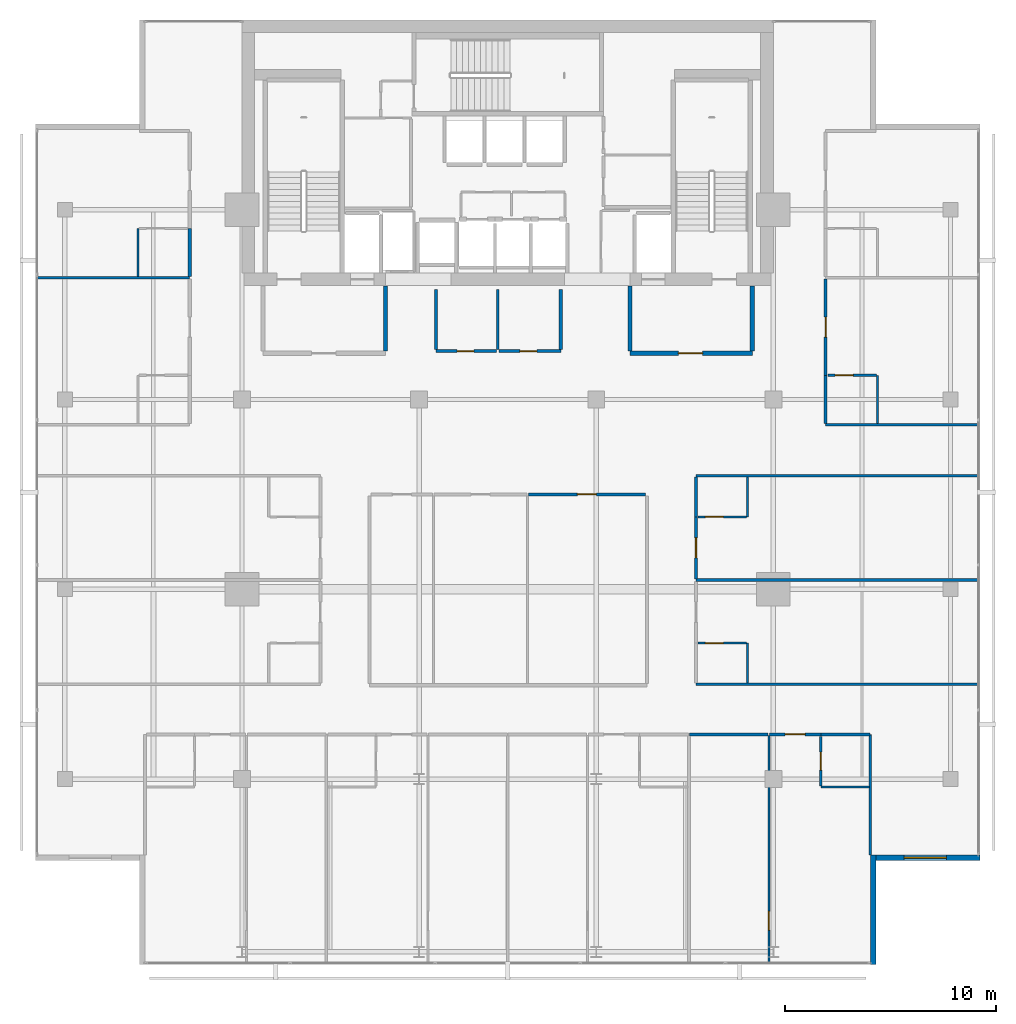
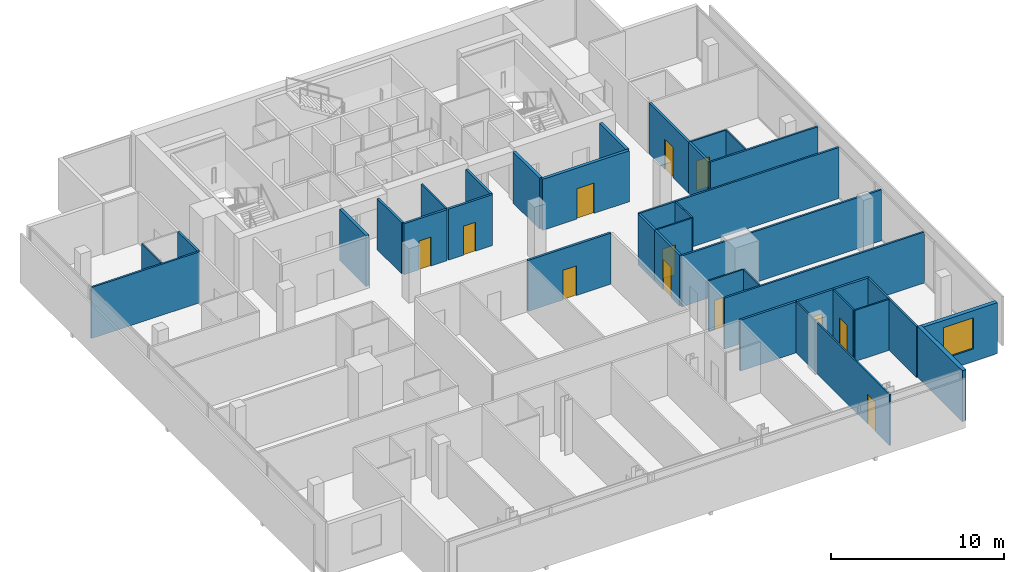
# One storey, part 21 of 26: 36 walls, 12 doors, 1 window, 13 openings.
"""IFC4 building model written with IfcOpenShell, lengths in metres."""

from ifc_helpers import new_model, si_unit, direction, frame, frame_2d, origin, place, context, subcontext, project, spatial, rectangle, extrude, material, layer, layer_set, type_object, element, fill, save


model = new_model("IFC4")

# Units and contexts
model_context = context("Model", 3, precision=1e-05, world=origin(), true_north=direction((0.0, 1.0)))
body_context = subcontext(model_context, "Body", "Model", "MODEL_VIEW")
ifc_project = project(units=[si_unit("LENGTHUNIT", "METRE"), si_unit("AREAUNIT", "SQUARE_METRE"), si_unit("VOLUMEUNIT", "CUBIC_METRE"), si_unit("PLANEANGLEUNIT", "RADIAN"), si_unit("MASSUNIT", "GRAM", prefix="KILO")], contexts=[model_context])

# Site, building, storey
site_placement = place(None, origin())
site = spatial("IfcSite", under=ifc_project, at=site_placement, CompositionType="ELEMENT")
building_placement = place(site_placement, origin())
building = spatial("IfcBuilding", under=site, at=building_placement, Name="Maruvema Waterfront Hotel and Observation Tower", CompositionType="ELEMENT")
storey_placement = place(building_placement, frame((0.0, 0.0, 254.800048828125)))
storey = spatial("IfcBuildingStorey", under=building, at=storey_placement, Name="L62", CompositionType="ELEMENT", Elevation=254.800048828125)

# Wall, opening, door
ifc_material_1 = material(Name="Twin-stud acoustic gypsum drywall", Category="gypsum")
ifc_layer_1 = layer(ifc_material_1, 0.14990234375, Name="Acoustic Corridor and Suite Demising Wall 150 mm")
ifc_layer_set_1 = layer_set([ifc_layer_1], Name="Twin-stud acoustic gypsum drywall")
wall_type_1 = type_object("IfcWallType", Name="Acoustic Corridor and Suite Demising Wall 150 mm", PredefinedType="PARTITIONING", material=ifc_layer_set_1)
wall_1_placement = place(storey_placement, frame((34.39990234375, 38.300048828125, 0.0), z_axis=(0.0, 0.0, 1.0), x_axis=(1.0, 0.0, 0.0)))
wall_1 = element("IfcWall", 1, at=wall_1_placement, inside=storey, type_object=wall_type_1, Name="L62 Core Apron K2A South 026", PredefinedType="PARTITIONING", context=body_context, shape_type="SweptSolid", body=[
    extrude(rectangle(XDim=2.880126953125, YDim=0.14990234375, at=frame_2d((1.43994140625, 0.0))), origin(), (0.0, 0.0, 1.0), 3.60986328125),
])
opening_1_placement = place(wall_1_placement, frame((1.0, 0.0, 0.0)))
opening_1 = element("IfcOpeningElement", 2, at=opening_1_placement, cuts=wall_1, Name="Opening DR-080", PredefinedType="OPENING", context=body_context, shape_type="SweptSolid", body=[
    extrude(rectangle(XDim=0.800048828125, YDim=2.050048828125, at=frame_2d((0.39990234375, 1.02490234375))), frame((0.0, 0.0849609375, 0.0), z_axis=(0.0, -1.0, 0.0), x_axis=(1.0, 0.0, 0.0)), (0.0, 0.0, 1.0), 0.169921875),
])
ifc_material_2 = material(Name="Powder-coated steel access leaf", Category="steel")
door_type_1 = type_object("IfcDoorType", Name="Riser and Service Cupboard Door 800x2050 mm", OperationType="NOTDEFINED", PredefinedType="DOOR", material=ifc_material_2)
door_1_placement = place(opening_1_placement, frame((0.800048828125, 0.0, 0.0), z_axis=(0.0, 0.0, 1.0), x_axis=(-1.0, 0.0, 0.0)))
door_1 = element("IfcDoor", 3, at=door_1_placement, inside=storey, type_object=door_type_1, Name="L62 Core Ice Alcove Door", OperationType="SINGLE_SWING_RIGHT", OverallHeight=2.050048828125, OverallWidth=0.800048828125, PredefinedType="DOOR", context=body_context, shape_type="SweptSolid", body=[
    extrude(rectangle(XDim=0.800048828125, YDim=2.050048828125, at=frame_2d((0.39990234375, 1.02490234375))), frame((0.0, 0.02490234375, 0.0), z_axis=(0.0, -1.0, 0.0), x_axis=(1.0, 0.0, 0.0)), (0.0, 0.0, 1.0), 0.050048828125),
])
fill(opening_1, door_1)

wall_2_placement = place(storey_placement, frame((37.3798828125, 38.300048828125, 0.0), z_axis=(0.0, 0.0, 1.0), x_axis=(1.0, 0.0, 0.0)))
wall_2 = element("IfcWall", 4, at=wall_2_placement, inside=storey, type_object=wall_type_1, Name="L62 Core Apron K2B South 027", PredefinedType="PARTITIONING", context=body_context, shape_type="SweptSolid", body=[
    extrude(rectangle(XDim=2.940185546875, YDim=0.14990234375, at=frame_2d((1.47021484375, 0.0))), origin(), (0.0, 0.0, 1.0), 3.60986328125),
])
opening_2_placement = place(wall_2_placement, frame((1.0, 0.0, 0.0)))
opening_2 = element("IfcOpeningElement", 5, at=opening_2_placement, cuts=wall_2, Name="Opening DR-080", PredefinedType="OPENING", context=body_context, shape_type="SweptSolid", body=[
    extrude(rectangle(XDim=0.800048828125, YDim=2.050048828125, at=frame_2d((0.39990234375, 1.02490234375))), frame((0.0, 0.0849609375, 0.0), z_axis=(0.0, -1.0, 0.0), x_axis=(1.0, 0.0, 0.0)), (0.0, 0.0, 1.0), 0.169921875),
])
door_2_placement = place(opening_2_placement, frame((0.800048828125, 0.0, 0.0), z_axis=(0.0, 0.0, 1.0), x_axis=(-1.0, 0.0, 0.0)))
door_2 = element("IfcDoor", 6, at=door_2_placement, inside=storey, type_object=door_type_1, Name="L62 Core Valet Closet Door", OperationType="SINGLE_SWING_LEFT", OverallHeight=2.050048828125, OverallWidth=0.800048828125, PredefinedType="DOOR", context=body_context, shape_type="SweptSolid", body=[
    extrude(rectangle(XDim=0.800048828125, YDim=2.050048828125, at=frame_2d((0.39990234375, 1.02490234375))), frame((0.0, 0.02490234375, 0.0), z_axis=(0.0, -1.0, 0.0), x_axis=(1.0, 0.0, 0.0)), (0.0, 0.0, 1.0), 0.050048828125),
])
fill(opening_2, door_2)

# Walls
for number, where, z_axis, x_axis, name in (
    (7, (34.39990234375, 38.3798828125, 0.0), (0.0, 0.0, 1.0), (0.0, 1.0, 0.0), "L62 Core Apron K2 West 028"),
    (8, (40.320068359375, 38.3798828125, 0.0), (0.0, 0.0, 1.0), (0.0, 1.0, 0.0), "L62 Core Apron K2 East 030"),
):
    element("IfcWall", number, at=place(storey_placement, frame(where, z_axis=z_axis, x_axis=x_axis)), inside=storey, type_object=wall_type_1, Name=name, PredefinedType="PARTITIONING", context=body_context, shape_type="SweptSolid", body=[
        extrude(rectangle(XDim=2.840087890625, YDim=0.14990234375, at=frame_2d((1.419921875, 0.0))), origin(), (0.0, 0.0, 1.0), 3.60986328125),
    ])

# Wall, opening, door
wall_3_placement = place(storey_placement, frame((38.775390625, 31.5, 0.0), z_axis=(0.0, 0.0, 1.0), x_axis=(1.0, 0.0, 0.0)))
wall_3 = element("IfcWall", 9, at=wall_3_placement, inside=storey, type_object=wall_type_1, Name="L62 L62-Z3M Front 3 038", PredefinedType="PARTITIONING", context=body_context, shape_type="SweptSolid", body=[
    extrude(rectangle(XDim=5.564697265625, YDim=0.14990234375, at=frame_2d((2.7822265625, 0.0))), origin(), (0.0, 0.0, 1.0), 3.60986328125),
])
opening_3_placement = place(wall_3_placement, frame((2.332275390625, 0.0, 0.0)))
opening_3 = element("IfcOpeningElement", 10, at=opening_3_placement, cuts=wall_3, Name="Opening DR-090", PredefinedType="OPENING", context=body_context, shape_type="SweptSolid", body=[
    extrude(rectangle(XDim=0.89990234375, YDim=2.10009765625, at=frame_2d((0.449951171875, 1.050048828125))), frame((0.0, 0.0849609375, 0.0), z_axis=(0.0, -1.0, 0.0), x_axis=(1.0, 0.0, 0.0)), (0.0, 0.0, 1.0), 0.169921875),
])
ifc_material_3 = material(Name="Solid-core lacquered timber leaf", Category="wood")
door_type_2 = type_object("IfcDoorType", Name="Accessible Toilet and Room Door 900x2100 mm", OperationType="NOTDEFINED", PredefinedType="DOOR", material=ifc_material_3)
door_3_placement = place(opening_3_placement, origin())
door_3 = element("IfcDoor", 11, at=door_3_placement, inside=storey, type_object=door_type_2, Name="L62 Sky Study Office 3 Door", OperationType="SINGLE_SWING_RIGHT", OverallHeight=2.10009765625, OverallWidth=0.89990234375, PredefinedType="DOOR", context=body_context, shape_type="SweptSolid", body=[
    extrude(rectangle(XDim=0.89990234375, YDim=2.10009765625, at=frame_2d((0.449951171875, 1.050048828125))), frame((0.0, 0.02490234375, 0.0), z_axis=(0.0, -1.0, 0.0), x_axis=(1.0, 0.0, 0.0)), (0.0, 0.0, 1.0), 0.050048828125),
])
fill(opening_3, door_3)

# Walls
wall_4_placement = place(storey_placement, frame((52.64990234375, 20.1201171875, 0.0), z_axis=(0.0, 0.0, 1.0), x_axis=(1.0, 0.0, 0.0)))
element("IfcWall", 12, at=wall_4_placement, inside=storey, type_object=wall_type_1, Name="L62 Bath L62-S4 Back Wall 062", PredefinedType="PARTITIONING", context=body_context, shape_type="SweptSolid", body=[
    extrude(rectangle(XDim=2.330078125, YDim=0.14990234375, at=frame_2d((1.1650390625, 0.0))), origin(), (0.0, 0.0, 1.0), 3.60986328125),
])
wall_5_placement = place(storey_placement, frame((46.419921875, 20.1201171875, 0.0), z_axis=(0.0, 0.0, 1.0), x_axis=(1.0, 0.0, 0.0)))
element("IfcWall", 13, at=wall_5_placement, inside=storey, type_object=wall_type_1, Name="L62 Bedroom L62-S4 Back Wall 065", PredefinedType="PARTITIONING", context=body_context, shape_type="SweptSolid", body=[
    extrude(rectangle(XDim=3.72412109375, YDim=0.14990234375, at=frame_2d((1.862060546875, 0.0))), origin(), (0.0, 0.0, 1.0), 3.60986328125),
])

# Wall, opening, door
wall_6_placement = place(storey_placement, frame((50.22412109375, 20.1201171875, 0.0), z_axis=(0.0, 0.0, 1.0), x_axis=(1.0, 0.0, 0.0)))
wall_6 = element("IfcWall", 14, at=wall_6_placement, inside=storey, type_object=wall_type_1, Name="L62 Unit L62-S4 Corridor Wall 066", PredefinedType="PARTITIONING", context=body_context, shape_type="SweptSolid", body=[
    extrude(rectangle(XDim=2.42578125, YDim=0.14990234375, at=frame_2d((1.212890625, 0.0))), origin(), (0.0, 0.0, 1.0), 3.60986328125),
])
opening_4_placement = place(wall_6_placement, frame((0.738037109375, 0.0, 0.0)))
opening_4 = element("IfcOpeningElement", 15, at=opening_4_placement, cuts=wall_6, Name="Opening DR-095", PredefinedType="OPENING", context=body_context, shape_type="SweptSolid", body=[
    extrude(rectangle(XDim=0.949951171875, YDim=2.14990234375, at=frame_2d((0.47509765625, 1.074951171875))), frame((0.0, 0.0849609375, 0.0), z_axis=(0.0, -1.0, 0.0), x_axis=(1.0, 0.0, 0.0)), (0.0, 0.0, 1.0), 0.169921875),
])
ifc_material_4 = material(Name="Acoustic solid-core hardwood timber leaf", Category="wood")
door_type_3 = type_object("IfcDoorType", Name="Guestroom Entrance Fire Door 950x2150 mm", OperationType="NOTDEFINED", PredefinedType="DOOR", material=ifc_material_4)
door_4_placement = place(opening_4_placement, frame((0.949951171875, 0.0, 0.0), z_axis=(0.0, 0.0, 1.0), x_axis=(-1.0, 0.0, 0.0)))
door_4 = element("IfcDoor", 16, at=door_4_placement, inside=storey, type_object=door_type_3, Name="L62 Unit L62-S4 Entrance Door", OperationType="SINGLE_SWING_LEFT", OverallHeight=2.14990234375, OverallWidth=0.949951171875, PredefinedType="DOOR", context=body_context, shape_type="SweptSolid", body=[
    extrude(rectangle(XDim=0.949951171875, YDim=2.14990234375, at=frame_2d((0.47509765625, 1.074951171875))), frame((0.0, 0.02490234375, 0.0), z_axis=(0.0, -1.0, 0.0), x_axis=(1.0, 0.0, 0.0)), (0.0, 0.0, 1.0), 0.050048828125),
])
fill(opening_4, door_4)

wall_7_placement = place(storey_placement, frame((46.72998046875, 27.5, 0.0), z_axis=(0.0, 0.0, 1.0), x_axis=(0.0, 1.0, 0.0)))
wall_7 = element("IfcWall", 17, at=wall_7_placement, inside=storey, type_object=wall_type_1, Name="L62 Room L62-E2 Corridor Wall 086", PredefinedType="PARTITIONING", context=body_context, shape_type="SweptSolid", body=[
    extrude(rectangle(XDim=2.929931640625, YDim=0.14990234375, at=frame_2d((1.46484375, 0.0))), origin(), (0.0, 0.0, 1.0), 3.60986328125),
])
opening_5_placement = place(wall_7_placement, frame((0.989990234375, 0.0, 0.0)))
opening_5 = element("IfcOpeningElement", 18, at=opening_5_placement, cuts=wall_7, Name="Opening DR-095", PredefinedType="OPENING", context=body_context, shape_type="SweptSolid", body=[
    extrude(rectangle(XDim=0.949951171875, YDim=2.14990234375, at=frame_2d((0.47509765625, 1.074951171875))), frame((0.0, 0.0849609375, 0.0), z_axis=(0.0, -1.0, 0.0), x_axis=(1.0, 0.0, 0.0)), (0.0, 0.0, 1.0), 0.169921875),
])
door_5_placement = place(opening_5_placement, frame((0.949951171875, 0.0, 0.0), z_axis=(0.0, 0.0, 1.0), x_axis=(-1.0, 0.0, 0.0)))
door_5 = element("IfcDoor", 19, at=door_5_placement, inside=storey, type_object=door_type_3, Name="L62 Room L62-E2 Entrance Door", OperationType="SINGLE_SWING_RIGHT", OverallHeight=2.14990234375, OverallWidth=0.949951171875, PredefinedType="DOOR", context=body_context, shape_type="SweptSolid", body=[
    extrude(rectangle(XDim=0.949951171875, YDim=2.14990234375, at=frame_2d((0.47509765625, 1.074951171875))), frame((0.0, 0.02490234375, 0.0), z_axis=(0.0, -1.0, 0.0), x_axis=(1.0, 0.0, 0.0)), (0.0, 0.0, 1.0), 0.050048828125),
])
fill(opening_5, door_5)

# Walls
wall_8_placement = place(storey_placement, frame((46.72998046875, 30.429931640625, 0.0), z_axis=(0.0, 0.0, 1.0), x_axis=(0.0, 1.0, 0.0)))
element("IfcWall", 20, at=wall_8_placement, inside=storey, type_object=wall_type_1, Name="L62 Bath L62-E2 Wall 087", PredefinedType="PARTITIONING", context=body_context, shape_type="SweptSolid", body=[
    extrude(rectangle(XDim=1.89013671875, YDim=0.14990234375, at=frame_2d((0.945068359375, 0.0))), origin(), (0.0, 0.0, 1.0), 3.60986328125),
])
wall_9_placement = place(storey_placement, frame((52.8798828125, 34.860107421875, 0.0), z_axis=(0.0, 0.0, 1.0), x_axis=(0.0, 1.0, 0.0)))
element("IfcWall", 21, at=wall_9_placement, inside=storey, type_object=wall_type_1, Name="L62 Bath L62-NE1 Wall 098", PredefinedType="PARTITIONING", context=body_context, shape_type="SweptSolid", body=[
    extrude(rectangle(XDim=2.289794921875, YDim=0.14990234375, at=frame_2d((1.14501953125, 0.0))), origin(), (0.0, 0.0, 1.0), 3.60986328125),
])

# Wall, opening, door
wall_10_placement = place(storey_placement, frame((52.8798828125, 37.14990234375, 0.0), z_axis=(0.0, 0.0, 1.0), x_axis=(0.0, 1.0, 0.0)))
wall_10 = element("IfcWall", 22, at=wall_10_placement, inside=storey, type_object=wall_type_1, Name="L62 Room L62-NE1 Corridor Wall 099", PredefinedType="PARTITIONING", context=body_context, shape_type="SweptSolid", body=[
    extrude(rectangle(XDim=4.558837890625, YDim=0.14990234375, at=frame_2d((2.279296875, 0.0))), origin(), (0.0, 0.0, 1.0), 3.60986328125),
])
opening_6_placement = place(wall_10_placement, frame((1.804443359375, 0.0, 0.0)))
opening_6 = element("IfcOpeningElement", 23, at=opening_6_placement, cuts=wall_10, Name="Opening DR-095", PredefinedType="OPENING", context=body_context, shape_type="SweptSolid", body=[
    extrude(rectangle(XDim=0.949951171875, YDim=2.14990234375, at=frame_2d((0.47509765625, 1.074951171875))), frame((0.0, 0.0849609375, 0.0), z_axis=(0.0, -1.0, 0.0), x_axis=(1.0, 0.0, 0.0)), (0.0, 0.0, 1.0), 0.169921875),
])
door_6_placement = place(opening_6_placement, frame((0.949951171875, 0.0, 0.0), z_axis=(0.0, 0.0, 1.0), x_axis=(-1.0, 0.0, 0.0)))
door_6 = element("IfcDoor", 24, at=door_6_placement, inside=storey, type_object=door_type_3, Name="L62 Room L62-NE1 Entrance Door", OperationType="SINGLE_SWING_RIGHT", OverallHeight=2.14990234375, OverallWidth=0.949951171875, PredefinedType="DOOR", context=body_context, shape_type="SweptSolid", body=[
    extrude(rectangle(XDim=0.949951171875, YDim=2.14990234375, at=frame_2d((0.47509765625, 1.074951171875))), frame((0.0, 0.02490234375, 0.0), z_axis=(0.0, -1.0, 0.0), x_axis=(1.0, 0.0, 0.0)), (0.0, 0.0, 1.0), 0.050048828125),
])
fill(opening_6, door_6)

# Walls
wall_11_placement = place(storey_placement, frame((22.719970703125, 41.82861328125, 0.0), z_axis=(0.0, 0.0, 1.0), x_axis=(0.0, 1.0, 0.0)))
element("IfcWall", 25, at=wall_11_placement, inside=storey, type_object=wall_type_1, Name="L62 Bath L62-NW2 Wall 104", PredefinedType="PARTITIONING", context=body_context, shape_type="SweptSolid", body=[
    extrude(rectangle(XDim=2.2900390625, YDim=0.14990234375, at=frame_2d((1.14501953125, 0.0))), origin(), (0.0, 0.0, 1.0), 3.60986328125),
])
ifc_material_5 = material(Name="Moisture-resistant cement-board drywall", Category="gypsum")
ifc_layer_2 = layer(ifc_material_5, 0.10009765625, Name="En-Suite Moisture-Resistant Partition 100 mm")
ifc_layer_set_2 = layer_set([ifc_layer_2], Name="Moisture-resistant cement-board drywall")
wall_type_2 = type_object("IfcWallType", Name="En-Suite Moisture-Resistant Partition 100 mm", PredefinedType="PARTITIONING", material=ifc_layer_set_2)
wall_12_placement = place(storey_placement, frame((37.330078125, 38.3798828125, 0.0), z_axis=(0.0, 0.0, 1.0), x_axis=(0.0, 1.0, 0.0)))
element("IfcWall", 26, at=wall_12_placement, inside=storey, type_object=wall_type_2, Name="L62 Core Apron K2 Split 029", PredefinedType="PARTITIONING", context=body_context, shape_type="SweptSolid", body=[
    extrude(rectangle(XDim=2.840087890625, YDim=0.10009765625, at=frame_2d((1.419921875, 0.0))), origin(), (0.0, 0.0, 1.0), 3.60986328125),
])
wall_13_placement = place(storey_placement, frame((52.64990234375, 17.6201171875, 0.0), z_axis=(0.0, 0.0, 1.0), x_axis=(1.0, 0.0, 0.0)))
element("IfcWall", 27, at=wall_13_placement, inside=storey, type_object=wall_type_2, Name="L62 En-Suite L62-S4 South 063", PredefinedType="PARTITIONING", context=body_context, shape_type="SweptSolid", body=[
    extrude(rectangle(XDim=2.31005859375, YDim=0.10009765625, at=frame_2d((1.155029296875, 0.0))), origin(), (0.0, 0.0, 1.0), 3.60986328125),
])

# Wall, opening, door
wall_14_placement = place(storey_placement, frame((52.64990234375, 17.679931640625, 0.0), z_axis=(0.0, 0.0, 1.0), x_axis=(0.0, 1.0, 0.0)))
wall_14 = element("IfcWall", 28, at=wall_14_placement, inside=storey, type_object=wall_type_2, Name="L62 En-Suite L62-S4 West 064", PredefinedType="PARTITIONING", context=body_context, shape_type="SweptSolid", body=[
    extrude(rectangle(XDim=2.340087890625, YDim=0.10009765625, at=frame_2d((1.169921875, 0.0))), origin(), (0.0, 0.0, 1.0), 3.60986328125),
])
opening_7_placement = place(wall_14_placement, frame((0.7451171875, 0.0, 0.0)))
opening_7 = element("IfcOpeningElement", 29, at=opening_7_placement, cuts=wall_14, Name="Opening DR-085", PredefinedType="OPENING", context=body_context, shape_type="SweptSolid", body=[
    extrude(rectangle(XDim=0.85009765625, YDim=2.10009765625, at=frame_2d((0.425048828125, 1.050048828125))), frame((0.0, 0.06005859375, 0.0), z_axis=(0.0, -1.0, 0.0), x_axis=(1.0, 0.0, 0.0)), (0.0, 0.0, 1.0), 0.1201171875),
])
ifc_material_6 = material(Name="Moisture-resistant solid timber leaf", Category="wood")
door_type_4 = type_object("IfcDoorType", Name="En-Suite Bathroom Door 850x2100 mm", OperationType="NOTDEFINED", PredefinedType="DOOR", material=ifc_material_6)
door_7_placement = place(opening_7_placement, origin())
door_7 = element("IfcDoor", 30, at=door_7_placement, inside=storey, type_object=door_type_4, Name="L62 En-Suite L62-S4 Door", OperationType="SINGLE_SWING_RIGHT", OverallHeight=2.10009765625, OverallWidth=0.85009765625, PredefinedType="DOOR", context=body_context, shape_type="SweptSolid", body=[
    extrude(rectangle(XDim=0.85009765625, YDim=2.10009765625, at=frame_2d((0.425048828125, 1.050048828125))), frame((0.0, 0.02490234375, 0.0), z_axis=(0.0, -1.0, 0.0), x_axis=(1.0, 0.0, 0.0)), (0.0, 0.0, 1.0), 0.050048828125),
])
fill(opening_7, door_7)

wall_15_placement = place(storey_placement, frame((50.18408203125, 9.22998046875, 0.0), z_axis=(0.0, 0.0, 1.0), x_axis=(0.0, 1.0, 0.0)))
wall_15 = element("IfcWall", 31, at=wall_15_placement, inside=storey, type_object=wall_type_2, Name="L62 Suite L62-S4 Split 067", PredefinedType="PARTITIONING", context=body_context, shape_type="SweptSolid", body=[
    extrude(rectangle(XDim=10.830078125, YDim=0.10009765625, at=frame_2d((5.4150390625, 0.0))), origin(), (0.0, 0.0, 1.0), 3.60986328125),
])
opening_8_placement = place(wall_15_placement, frame((1.60009765625, 0.0, 0.0)))
opening_8 = element("IfcOpeningElement", 32, at=opening_8_placement, cuts=wall_15, Name="Opening DR-090", PredefinedType="OPENING", context=body_context, shape_type="SweptSolid", body=[
    extrude(rectangle(XDim=0.89990234375, YDim=2.10009765625, at=frame_2d((0.449951171875, 1.050048828125))), frame((0.0, 0.06005859375, 0.0), z_axis=(0.0, -1.0, 0.0), x_axis=(1.0, 0.0, 0.0)), (0.0, 0.0, 1.0), 0.1201171875),
])
door_8_placement = place(opening_8_placement, frame((0.89990234375, 0.0, 0.0), z_axis=(0.0, 0.0, 1.0), x_axis=(-1.0, 0.0, 0.0)))
door_8 = element("IfcDoor", 33, at=door_8_placement, inside=storey, type_object=door_type_2, Name="L62 Suite L62-S4 Bedroom Door", OperationType="SINGLE_SWING_RIGHT", OverallHeight=2.10009765625, OverallWidth=0.89990234375, PredefinedType="DOOR", context=body_context, shape_type="SweptSolid", body=[
    extrude(rectangle(XDim=0.89990234375, YDim=2.10009765625, at=frame_2d((0.449951171875, 1.050048828125))), frame((0.0, 0.02490234375, 0.0), z_axis=(0.0, -1.0, 0.0), x_axis=(1.0, 0.0, 0.0)), (0.0, 0.0, 1.0), 0.050048828125),
])
fill(opening_8, door_8)

# Wall
wall_16_placement = place(storey_placement, frame((49.179931640625, 22.56005859375, 0.0), z_axis=(0.0, 0.0, 1.0), x_axis=(0.0, 1.0, 0.0)))
element("IfcWall", 34, at=wall_16_placement, inside=storey, type_object=wall_type_2, Name="L62 En-Suite L62-E1 E 078", PredefinedType="PARTITIONING", context=body_context, shape_type="SweptSolid", body=[
    extrude(rectangle(XDim=1.889892578125, YDim=0.10009765625, at=frame_2d((0.94482421875, 0.0))), origin(), (0.0, 0.0, 1.0), 3.60986328125),
])

# Wall, opening, door
wall_17_placement = place(storey_placement, frame((46.830078125, 24.449951171875, 0.0), z_axis=(0.0, 0.0, 1.0), x_axis=(1.0, 0.0, 0.0)))
wall_17 = element("IfcWall", 35, at=wall_17_placement, inside=storey, type_object=wall_type_2, Name="L62 En-Suite L62-E1 N 079", PredefinedType="PARTITIONING", context=body_context, shape_type="SweptSolid", body=[
    extrude(rectangle(XDim=2.2998046875, YDim=0.10009765625, at=frame_2d((1.14990234375, 0.0))), origin(), (0.0, 0.0, 1.0), 3.60986328125),
])
opening_9_placement = place(wall_17_placement, frame((0.35009765625, 0.0, 0.0)))
opening_9 = element("IfcOpeningElement", 36, at=opening_9_placement, cuts=wall_17, Name="Opening DR-085", PredefinedType="OPENING", context=body_context, shape_type="SweptSolid", body=[
    extrude(rectangle(XDim=0.85009765625, YDim=2.10009765625, at=frame_2d((0.425048828125, 1.050048828125))), frame((0.0, 0.06005859375, 0.0), z_axis=(0.0, -1.0, 0.0), x_axis=(1.0, 0.0, 0.0)), (0.0, 0.0, 1.0), 0.1201171875),
])
door_9_placement = place(opening_9_placement, origin())
door_9 = element("IfcDoor", 37, at=door_9_placement, inside=storey, type_object=door_type_4, Name="L62 En-Suite L62-E1 Door", OperationType="SINGLE_SWING_LEFT", OverallHeight=2.10009765625, OverallWidth=0.85009765625, PredefinedType="DOOR", context=body_context, shape_type="SweptSolid", body=[
    extrude(rectangle(XDim=0.85009765625, YDim=2.10009765625, at=frame_2d((0.425048828125, 1.050048828125))), frame((0.0, 0.02490234375, 0.0), z_axis=(0.0, -1.0, 0.0), x_axis=(1.0, 0.0, 0.0)), (0.0, 0.0, 1.0), 0.050048828125),
])
fill(opening_9, door_9)

# Wall
wall_18_placement = place(storey_placement, frame((49.179931640625, 30.429931640625, 0.0), z_axis=(0.0, 0.0, 1.0), x_axis=(0.0, 1.0, 0.0)))
element("IfcWall", 38, at=wall_18_placement, inside=storey, type_object=wall_type_2, Name="L62 En-Suite L62-E2 E 088", PredefinedType="PARTITIONING", context=body_context, shape_type="SweptSolid", body=[
    extrude(rectangle(XDim=1.89013671875, YDim=0.10009765625, at=frame_2d((0.945068359375, 0.0))), origin(), (0.0, 0.0, 1.0), 3.60986328125),
])

# Wall, opening, door
wall_19_placement = place(storey_placement, frame((46.830078125, 30.429931640625, 0.0), z_axis=(0.0, 0.0, 1.0), x_axis=(1.0, 0.0, 0.0)))
wall_19 = element("IfcWall", 39, at=wall_19_placement, inside=storey, type_object=wall_type_2, Name="L62 En-Suite L62-E2 S 089", PredefinedType="PARTITIONING", context=body_context, shape_type="SweptSolid", body=[
    extrude(rectangle(XDim=2.2998046875, YDim=0.10009765625, at=frame_2d((1.14990234375, 0.0))), origin(), (0.0, 0.0, 1.0), 3.60986328125),
])
opening_10_placement = place(wall_19_placement, frame((0.35009765625, 0.0, 0.0)))
opening_10 = element("IfcOpeningElement", 40, at=opening_10_placement, cuts=wall_19, Name="Opening DR-085", PredefinedType="OPENING", context=body_context, shape_type="SweptSolid", body=[
    extrude(rectangle(XDim=0.85009765625, YDim=2.10009765625, at=frame_2d((0.425048828125, 1.050048828125))), frame((0.0, 0.06005859375, 0.0), z_axis=(0.0, -1.0, 0.0), x_axis=(1.0, 0.0, 0.0)), (0.0, 0.0, 1.0), 0.1201171875),
])
door_10_placement = place(opening_10_placement, frame((0.85009765625, 0.0, 0.0), z_axis=(0.0, 0.0, 1.0), x_axis=(-1.0, 0.0, 0.0)))
door_10 = element("IfcDoor", 41, at=door_10_placement, inside=storey, type_object=door_type_4, Name="L62 En-Suite L62-E2 Door", OperationType="SINGLE_SWING_LEFT", OverallHeight=2.10009765625, OverallWidth=0.85009765625, PredefinedType="DOOR", context=body_context, shape_type="SweptSolid", body=[
    extrude(rectangle(XDim=0.85009765625, YDim=2.10009765625, at=frame_2d((0.425048828125, 1.050048828125))), frame((0.0, 0.02490234375, 0.0), z_axis=(0.0, -1.0, 0.0), x_axis=(1.0, 0.0, 0.0)), (0.0, 0.0, 1.0), 0.050048828125),
])
fill(opening_10, door_10)

# Wall
wall_20_placement = place(storey_placement, frame((55.330078125, 34.860107421875, 0.0), z_axis=(0.0, 0.0, 1.0), x_axis=(0.0, 1.0, 0.0)))
element("IfcWall", 42, at=wall_20_placement, inside=storey, type_object=wall_type_2, Name="L62 En-Suite L62-NE1 E 100", PredefinedType="PARTITIONING", context=body_context, shape_type="SweptSolid", body=[
    extrude(rectangle(XDim=2.289794921875, YDim=0.10009765625, at=frame_2d((1.14501953125, 0.0))), origin(), (0.0, 0.0, 1.0), 3.60986328125),
])

# Wall, opening, door
wall_21_placement = place(storey_placement, frame((52.97998046875, 37.14990234375, 0.0), z_axis=(0.0, 0.0, 1.0), x_axis=(1.0, 0.0, 0.0)))
wall_21 = element("IfcWall", 43, at=wall_21_placement, inside=storey, type_object=wall_type_2, Name="L62 En-Suite L62-NE1 N 101", PredefinedType="PARTITIONING", context=body_context, shape_type="SweptSolid", body=[
    extrude(rectangle(XDim=2.300048828125, YDim=0.10009765625, at=frame_2d((1.14990234375, 0.0))), origin(), (0.0, 0.0, 1.0), 3.60986328125),
])
opening_11_placement = place(wall_21_placement, frame((0.35009765625, 0.0, 0.0)))
opening_11 = element("IfcOpeningElement", 44, at=opening_11_placement, cuts=wall_21, Name="Opening DR-085", PredefinedType="OPENING", context=body_context, shape_type="SweptSolid", body=[
    extrude(rectangle(XDim=0.85009765625, YDim=2.10009765625, at=frame_2d((0.425048828125, 1.050048828125))), frame((0.0, 0.06005859375, 0.0), z_axis=(0.0, -1.0, 0.0), x_axis=(1.0, 0.0, 0.0)), (0.0, 0.0, 1.0), 0.1201171875),
])
door_11_placement = place(opening_11_placement, origin())
door_11 = element("IfcDoor", 45, at=door_11_placement, inside=storey, type_object=door_type_4, Name="L62 En-Suite L62-NE1 Door", OperationType="SINGLE_SWING_LEFT", OverallHeight=2.10009765625, OverallWidth=0.85009765625, PredefinedType="DOOR", context=body_context, shape_type="SweptSolid", body=[
    extrude(rectangle(XDim=0.85009765625, YDim=2.10009765625, at=frame_2d((0.425048828125, 1.050048828125))), frame((0.0, 0.02490234375, 0.0), z_axis=(0.0, -1.0, 0.0), x_axis=(1.0, 0.0, 0.0)), (0.0, 0.0, 1.0), 0.050048828125),
])
fill(opening_11, door_11)

# Walls
wall_22_placement = place(storey_placement, frame((20.27001953125, 41.82861328125, 0.0), z_axis=(0.0, 0.0, 1.0), x_axis=(0.0, 1.0, 0.0)))
element("IfcWall", 46, at=wall_22_placement, inside=storey, type_object=wall_type_2, Name="L62 En-Suite L62-NW2 W 106", PredefinedType="PARTITIONING", context=body_context, shape_type="SweptSolid", body=[
    extrude(rectangle(XDim=2.2900390625, YDim=0.10009765625, at=frame_2d((1.14501953125, 0.0))), origin(), (0.0, 0.0, 1.0), 3.60986328125),
])
ifc_material_7 = material(Name="Precast concrete C45/55 with honed Pernambuco granite facing", Category="masonry")
ifc_layer_3 = layer(ifc_material_7, 0.260009765625, Name="Exterior Granite Clad Spandrel and Pier Wall 260 mm")
ifc_layer_set_3 = layer_set([ifc_layer_3], Name="Precast concrete C45/55 with honed Pernambuco granite facing")
wall_type_3 = type_object("IfcWallType", Name="Exterior Granite Clad Spandrel and Pier Wall 260 mm", PredefinedType="SOLIDWALL", material=ifc_layer_set_3)
wall_23_placement = place(storey_placement, frame((55.1298828125, 14.39990234375, 0.0), z_axis=(0.0, 0.0, 1.0), x_axis=(0.0, -1.0, 0.0)))
element("IfcWall", 47, at=wall_23_placement, inside=storey, type_object=wall_type_3, Name="L62 Corner Notch Granite Pier Wall SE1", PredefinedType="SOLIDWALL", context=body_context, shape_type="SweptSolid", body=[
    extrude(rectangle(XDim=5.199951171875, YDim=0.260009765625, at=frame_2d((2.60009765625, 0.0))), origin(), (0.0, 0.0, 1.0), 3.60986328125),
])

# Wall, opening, window
wall_24_placement = place(storey_placement, frame((60.199951171875, 14.27001953125, 0.0), z_axis=(0.0, 0.0, 1.0), x_axis=(-1.0, 0.0, 0.0)))
wall_24 = element("IfcWall", 48, at=wall_24_placement, inside=storey, type_object=wall_type_3, Name="L62 Corner Notch Granite Pier Wall SE2", PredefinedType="SOLIDWALL", context=body_context, shape_type="SweptSolid", body=[
    extrude(rectangle(XDim=5.199951171875, YDim=0.260009765625, at=frame_2d((2.60009765625, 0.0))), origin(), (0.0, 0.0, 1.0), 3.60986328125),
])
opening_12_placement = place(wall_24_placement, frame((1.60009765625, 0.0, 0.89990234375)))
opening_12 = element("IfcOpeningElement", 49, at=opening_12_placement, cuts=wall_24, Name="Opening WN-03", PredefinedType="OPENING", context=body_context, shape_type="SweptSolid", body=[
    extrude(rectangle(XDim=2.0, YDim=2.199951171875, at=frame_2d((1.0, 1.10009765625))), frame((0.0, 0.14013671875, 0.0), z_axis=(0.0, -1.0, 0.0), x_axis=(1.0, 0.0, 0.0)), (0.0, 0.0, 1.0), 0.280029296875),
])
ifc_material_8 = material(Name="Anodised bronze aluminium frame with laminated low-E glass", Category="aluminium")
window_type = type_object("IfcWindowType", Name="Sky Suite Panoramic Notch Window 2000x2200 mm", PartitioningType="SINGLE_PANEL", PredefinedType="WINDOW", material=ifc_material_8)
window_placement = place(opening_12_placement, origin())
window = element("IfcWindow", 50, at=window_placement, inside=storey, type_object=window_type, Name="L62 Corner Notch Punched Window SE2", OverallHeight=2.199951171875, OverallWidth=2.0, PartitioningType="SINGLE_PANEL", PredefinedType="WINDOW", context=body_context, shape_type="SweptSolid", body=[
    extrude(rectangle(XDim=2.0, YDim=2.199951171875, at=frame_2d((1.0, 1.10009765625))), frame((0.0, 0.030029296875, 0.0), z_axis=(0.0, -1.0, 0.0), x_axis=(1.0, 0.0, 0.0)), (0.0, 0.0, 1.0), 0.06005859375),
])
fill(opening_12, window)

# Wall
ifc_material_9 = material(Name="Autoclaved cellular concrete blockwork", Category="masonry")
ifc_layer_4 = layer(ifc_material_9, 0.199951171875, Name="Fire Compartment Masonry Wall 200 mm")
ifc_layer_set_4 = layer_set([ifc_layer_4], Name="Autoclaved cellular concrete blockwork")
wall_type_4 = type_object("IfcWallType", Name="Fire Compartment Masonry Wall 200 mm", PredefinedType="PARTITIONING", material=ifc_layer_set_4)
wall_25_placement = place(storey_placement, frame((32.0, 38.31005859375, 0.0), z_axis=(0.0, 0.0, 1.0), x_axis=(0.0, 1.0, 0.0)))
element("IfcWall", 51, at=wall_25_placement, inside=storey, type_object=wall_type_4, Name="L62 FFL West East Wall 003", PredefinedType="PARTITIONING", context=body_context, shape_type="SweptSolid", body=[
    extrude(rectangle(XDim=3.06982421875, YDim=0.199951171875, at=frame_2d((1.534912109375, 0.0))), origin(), (0.0, 0.0, 1.0), 3.60986328125),
])

# Wall, opening, door
wall_26_placement = place(storey_placement, frame((43.60009765625, 38.199951171875, 0.0), z_axis=(0.0, 0.0, 1.0), x_axis=(1.0, 0.0, 0.0)))
wall_26 = element("IfcWall", 52, at=wall_26_placement, inside=storey, type_object=wall_type_4, Name="L62 FFL East South Wall 004", PredefinedType="PARTITIONING", context=body_context, shape_type="SweptSolid", body=[
    extrude(rectangle(XDim=5.7998046875, YDim=0.199951171875, at=frame_2d((2.89990234375, 0.0))), origin(), (0.0, 0.0, 1.0), 3.60986328125),
])
opening_13_placement = place(wall_26_placement, frame((2.300048828125, 0.0, 0.0)))
opening_13 = element("IfcOpeningElement", 53, at=opening_13_placement, cuts=wall_26, Name="Opening FD-115", PredefinedType="OPENING", context=body_context, shape_type="SweptSolid", body=[
    extrude(rectangle(XDim=1.14990234375, YDim=2.14990234375, at=frame_2d((0.574951171875, 1.074951171875))), frame((0.0, 0.10986328125, 0.0), z_axis=(0.0, -1.0, 0.0), x_axis=(1.0, 0.0, 0.0)), (0.0, 0.0, 1.0), 0.219970703125),
])
ifc_material_10 = material(Name="Fire-rated galvanised steel and vision glass", Category="steel")
door_type_5 = type_object("IfcDoorType", Name="Firefighting Lobby Fire Door 1150x2150 mm", OperationType="NOTDEFINED", PredefinedType="DOOR", material=ifc_material_10)
door_12_placement = place(opening_13_placement, frame((1.14990234375, 0.0, 0.0), z_axis=(0.0, 0.0, 1.0), x_axis=(-1.0, 0.0, 0.0)))
door_12 = element("IfcDoor", 54, at=door_12_placement, inside=storey, type_object=door_type_5, Name="L62 Firefighting Lobby East Door", OperationType="SINGLE_SWING_LEFT", OverallHeight=2.14990234375, OverallWidth=1.14990234375, PredefinedType="DOOR", context=body_context, shape_type="SweptSolid", body=[
    extrude(rectangle(XDim=1.14990234375, YDim=2.14990234375, at=frame_2d((0.574951171875, 1.074951171875))), frame((0.0, 0.02490234375, 0.0), z_axis=(0.0, -1.0, 0.0), x_axis=(1.0, 0.0, 0.0)), (0.0, 0.0, 1.0), 0.050048828125),
])
fill(opening_13, door_12)

# Walls
for number, where, z_axis, x_axis, name in (
    (55, (43.60009765625, 38.31005859375, 0.0), (0.0, 0.0, 1.0), (0.0, 1.0, 0.0), "L62 FFL East West Wall 005"),
    (56, (49.39990234375, 38.31005859375, 0.0), (0.0, 0.0, 1.0), (0.0, 1.0, 0.0), "L62 FFL East East Wall 006"),
):
    element("IfcWall", number, at=place(storey_placement, frame(where, z_axis=z_axis, x_axis=x_axis)), inside=storey, type_object=wall_type_4, Name=name, PredefinedType="PARTITIONING", context=body_context, shape_type="SweptSolid", body=[
        extrude(rectangle(XDim=3.06982421875, YDim=0.199951171875, at=frame_2d((1.534912109375, 0.0))), origin(), (0.0, 0.0, 1.0), 3.60986328125),
    ])
ifc_material_11 = material(Name="Acoustic gypsum plasterboard drywall", Category="gypsum")
ifc_layer_5 = layer(ifc_material_11, 0.125, Name="Guestroom Acoustic Demising Wall 125 mm")
ifc_layer_set_5 = layer_set([ifc_layer_5], Name="Acoustic gypsum plasterboard drywall")
wall_type_5 = type_object("IfcWallType", Name="Guestroom Acoustic Demising Wall 125 mm", PredefinedType="PARTITIONING", material=ifc_layer_set_5)
wall_27_placement = place(storey_placement, frame((55.0, 14.39990234375, 0.0), z_axis=(0.0, 0.0, 1.0), x_axis=(0.0, 1.0, 0.0)))
element("IfcWall", 57, at=wall_27_placement, inside=storey, type_object=wall_type_5, Name="L62 Z3 S East End 040", PredefinedType="PARTITIONING", context=body_context, shape_type="SweptSolid", body=[
    extrude(rectangle(XDim=5.72021484375, YDim=0.125, at=frame_2d((2.860107421875, 0.0))), origin(), (0.0, 0.0, 1.0), 3.60986328125),
])
for number, where, z_axis, x_axis, name in (
    (58, (46.72998046875, 22.5, 0.0), (0.0, 0.0, 1.0), (1.0, 0.0, 0.0), "L62 Z3 E Bot End 069"),
    (59, (46.72998046875, 32.3798828125, 0.0), (0.0, 0.0, 1.0), (1.0, 0.0, 0.0), "L62 Z3 E Top End 071"),
    (60, (46.72998046875, 27.43994140625, 0.0), (0.0, 0.0, 1.0), (1.0, 0.0, 0.0), "L62 Z3 E Demising 2 081"),
):
    element("IfcWall", number, at=place(storey_placement, frame(where, z_axis=z_axis, x_axis=x_axis)), inside=storey, type_object=wall_type_5, Name=name, PredefinedType="PARTITIONING", context=body_context, shape_type="SweptSolid", body=[
        extrude(rectangle(XDim=13.3701171875, YDim=0.125, at=frame_2d((6.68505859375, 0.0))), origin(), (0.0, 0.0, 1.0), 3.60986328125),
    ])
wall_28_placement = place(storey_placement, frame((52.8798828125, 34.800048828125, 0.0), z_axis=(0.0, 0.0, 1.0), x_axis=(1.0, 0.0, 0.0)))
element("IfcWall", 61, at=wall_28_placement, inside=storey, type_object=wall_type_5, Name="L62 Z3 NE Bot End 091", PredefinedType="PARTITIONING", context=body_context, shape_type="SweptSolid", body=[
    extrude(rectangle(XDim=7.22021484375, YDim=0.125, at=frame_2d((3.610107421875, 0.0))), origin(), (0.0, 0.0, 1.0), 3.60986328125),
])
wall_29_placement = place(storey_placement, frame((15.5, 41.768798828125, 0.0), z_axis=(0.0, 0.0, 1.0), x_axis=(1.0, 0.0, 0.0)))
element("IfcWall", 62, at=wall_29_placement, inside=storey, type_object=wall_type_5, Name="L62 Z3 NW Demising 2 102", PredefinedType="PARTITIONING", context=body_context, shape_type="SweptSolid", body=[
    extrude(rectangle(XDim=7.219970703125, YDim=0.125, at=frame_2d((3.60986328125, 0.0))), origin(), (0.0, 0.0, 1.0), 3.60986328125),
])

save(model, "model.ifc")
